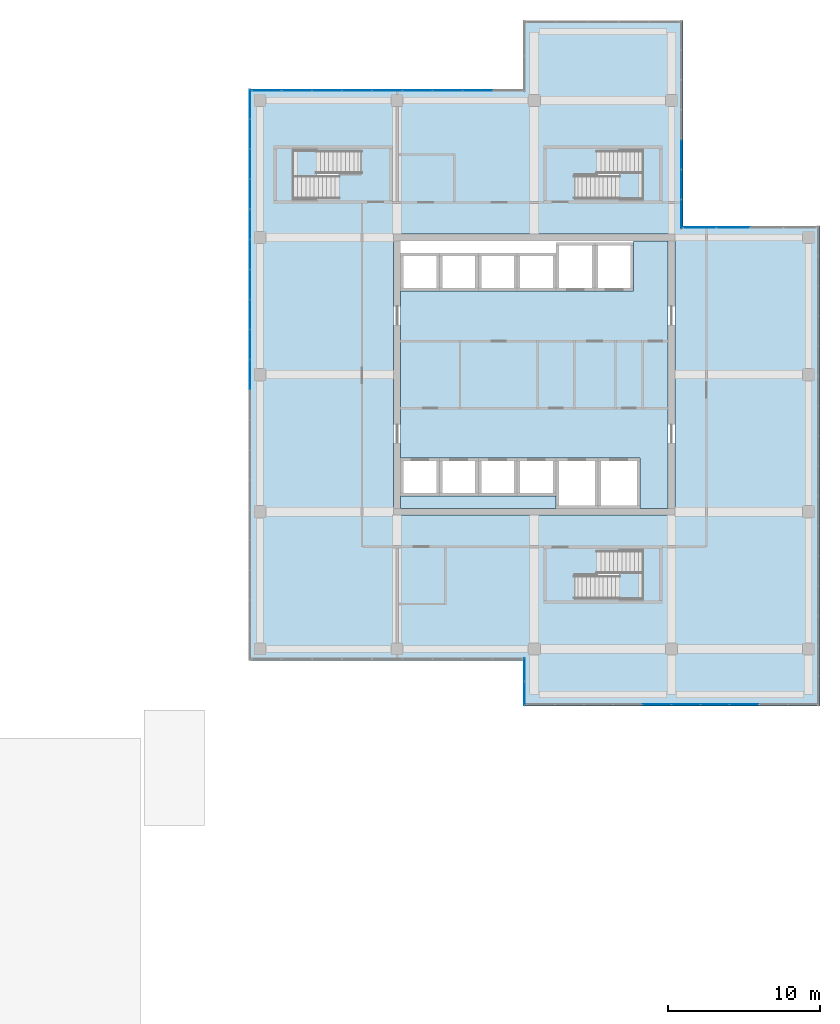
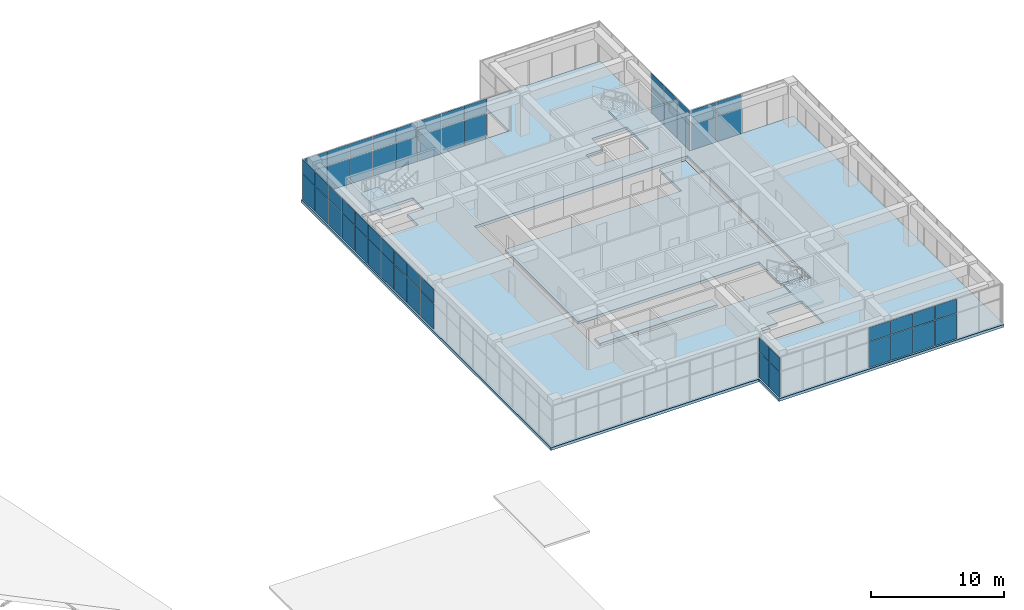
# One storey, part 44 of 55: 58 plates, 6 slabs, 9 elements without a shape of their own.
"""IFC4 building model written with IfcOpenShell, lengths in metres."""

from ifc_helpers import new_model, si_unit, direction, frame, origin, origin_2d, place, context, subcontext, project, spatial, polyline, rectangle, outline, extrude, material, layer, layer_set, type_object, element, aggregate, save


model = new_model("IFC4")

# Units and contexts
model_context = context("Model", 3, precision=1e-05, world=origin(), true_north=direction((0.0, 1.0)))
body_context = subcontext(model_context, "Body", "Model", "MODEL_VIEW")
ifc_project = project(units=[si_unit("LENGTHUNIT", "METRE"), si_unit("AREAUNIT", "SQUARE_METRE"), si_unit("VOLUMEUNIT", "CUBIC_METRE"), si_unit("PLANEANGLEUNIT", "RADIAN"), si_unit("MASSUNIT", "GRAM", prefix="KILO")], contexts=[model_context])

# Site, building, storey
site_placement = place(None, origin())
site = spatial("IfcSite", under=ifc_project, at=site_placement, CompositionType="ELEMENT")
building_placement = place(site_placement, origin())
building = spatial("IfcBuilding", under=site, at=building_placement, Name="Tuart Plaza Theatre", CompositionType="ELEMENT")
storey_placement = place(building_placement, frame((0.0, 0.0, 21.5)))
storey = spatial("IfcBuildingStorey", under=building, at=storey_placement, Name="L05", CompositionType="ELEMENT", Elevation=21.5)

# Curtain wall, plates
ifc_material_1 = material(Name="Aluminium and glass", Category="aluminium")
ifc_layer_1 = layer(ifc_material_1, 0.10009765625)
ifc_layer_set_1 = layer_set([ifc_layer_1], Name="CURTAIN WALL 2000 module")
curtain_wall_type = type_object("IfcCurtainWallType", Name="CURTAIN WALL 2000 module", PredefinedType="NOTDEFINED", material=ifc_layer_set_1)
curtain_wall_1_placement = place(storey_placement, origin())
curtain_wall_1 = element("IfcCurtainWall", 1, at=curtain_wall_1_placement, inside=storey, type_object=curtain_wall_type, Name="CW75", PredefinedType="NOTDEFINED")
ifc_material_2 = material(Name="Glass", Category="glass")
ifc_layer_2 = layer(ifc_material_2, 0.028076171875)
ifc_layer_set_2 = layer_set([ifc_layer_2], Name="CURTAIN PANEL double glazed 28")
plate_type = type_object("IfcPlateType", Name="CURTAIN PANEL double glazed 28", PredefinedType="CURTAIN_PANEL", material=ifc_layer_set_2)
plate_1_placement = place(storey_placement, frame((131.35009765625, 54.637451171875, 0.0498046875), z_axis=(0.0, 0.0, 1.0), x_axis=(0.0, -1.0, 0.0)))
plate_1 = element("IfcPlate", 2, at=plate_1_placement, type_object=plate_type, Name="CW75 panel 1.1", PredefinedType="CURTAIN_PANEL", context=body_context, shape_type="SweptSolid", body=[
    extrude(rectangle(XDim=1.52490234375, YDim=0.028076171875, at=origin_2d()), origin(), (0.0, 0.0, 1.0), 2.324951171875),
])
plate_2_placement = place(storey_placement, frame((131.35009765625, 54.637451171875, 2.425048828125), z_axis=(0.0, 0.0, 1.0), x_axis=(0.0, -1.0, 0.0)))
plate_2 = element("IfcPlate", 3, at=plate_2_placement, type_object=plate_type, Name="CW75 panel 1.2", PredefinedType="CURTAIN_PANEL", context=body_context, shape_type="SweptSolid", body=[
    extrude(rectangle(XDim=1.52490234375, YDim=0.028076171875, at=origin_2d()), origin(), (0.0, 0.0, 1.0), 1.27490234375),
])
plate_3_placement = place(storey_placement, frame((131.35009765625, 53.0625, 0.0498046875), z_axis=(0.0, 0.0, 1.0), x_axis=(0.0, -1.0, 0.0)))
plate_3 = element("IfcPlate", 4, at=plate_3_placement, type_object=plate_type, Name="CW75 panel 2.1", PredefinedType="CURTAIN_PANEL", context=body_context, shape_type="SweptSolid", body=[
    extrude(rectangle(XDim=1.52490234375, YDim=0.028076171875, at=origin_2d()), origin(), (0.0, 0.0, 1.0), 2.324951171875),
])
plate_4_placement = place(storey_placement, frame((131.35009765625, 53.0625, 2.425048828125), z_axis=(0.0, 0.0, 1.0), x_axis=(0.0, -1.0, 0.0)))
plate_4 = element("IfcPlate", 5, at=plate_4_placement, type_object=plate_type, Name="CW75 panel 2.2", PredefinedType="CURTAIN_PANEL", context=body_context, shape_type="SweptSolid", body=[
    extrude(rectangle(XDim=1.52490234375, YDim=0.028076171875, at=origin_2d()), origin(), (0.0, 0.0, 1.0), 1.27490234375),
])
aggregate(curtain_wall_1, [plate_1, plate_2, plate_3, plate_4])

curtain_wall_2_placement = place(storey_placement, origin())
curtain_wall_2 = element("IfcCurtainWall", 6, at=curtain_wall_2_placement, inside=storey, type_object=curtain_wall_type, Name="CW76", PredefinedType="NOTDEFINED")
plate_5_placement = place(storey_placement, frame((140.044921875, 52.35009765625, 0.0498046875), z_axis=(0.0, 0.0, 1.0), x_axis=(1.0, 0.0, 0.0)))
plate_5 = element("IfcPlate", 7, at=plate_5_placement, type_object=plate_type, Name="CW76 panel 5.1", PredefinedType="CURTAIN_PANEL", context=body_context, shape_type="SweptSolid", body=[
    extrude(rectangle(XDim=1.860107421875, YDim=0.028076171875, at=origin_2d()), origin(), (0.0, 0.0, 1.0), 2.324951171875),
])
plate_6_placement = place(storey_placement, frame((140.044921875, 52.35009765625, 2.425048828125), z_axis=(0.0, 0.0, 1.0), x_axis=(1.0, 0.0, 0.0)))
plate_6 = element("IfcPlate", 8, at=plate_6_placement, type_object=plate_type, Name="CW76 panel 5.2", PredefinedType="CURTAIN_PANEL", context=body_context, shape_type="SweptSolid", body=[
    extrude(rectangle(XDim=1.860107421875, YDim=0.028076171875, at=origin_2d()), origin(), (0.0, 0.0, 1.0), 1.27490234375),
])
plate_7_placement = place(storey_placement, frame((141.955078125, 52.35009765625, 0.0498046875), z_axis=(0.0, 0.0, 1.0), x_axis=(1.0, 0.0, 0.0)))
plate_7 = element("IfcPlate", 9, at=plate_7_placement, type_object=plate_type, Name="CW76 panel 6.1", PredefinedType="CURTAIN_PANEL", context=body_context, shape_type="SweptSolid", body=[
    extrude(rectangle(XDim=1.860107421875, YDim=0.028076171875, at=origin_2d()), origin(), (0.0, 0.0, 1.0), 2.324951171875),
])
plate_8_placement = place(storey_placement, frame((141.955078125, 52.35009765625, 2.425048828125), z_axis=(0.0, 0.0, 1.0), x_axis=(1.0, 0.0, 0.0)))
plate_8 = element("IfcPlate", 10, at=plate_8_placement, type_object=plate_type, Name="CW76 panel 6.2", PredefinedType="CURTAIN_PANEL", context=body_context, shape_type="SweptSolid", body=[
    extrude(rectangle(XDim=1.860107421875, YDim=0.028076171875, at=origin_2d()), origin(), (0.0, 0.0, 1.0), 1.27490234375),
])
plate_9_placement = place(storey_placement, frame((143.864990234375, 52.35009765625, 0.0498046875), z_axis=(0.0, 0.0, 1.0), x_axis=(1.0, 0.0, 0.0)))
plate_9 = element("IfcPlate", 11, at=plate_9_placement, type_object=plate_type, Name="CW76 panel 7.1", PredefinedType="CURTAIN_PANEL", context=body_context, shape_type="SweptSolid", body=[
    extrude(rectangle(XDim=1.860107421875, YDim=0.028076171875, at=origin_2d()), origin(), (0.0, 0.0, 1.0), 2.324951171875),
])
plate_10_placement = place(storey_placement, frame((143.864990234375, 52.35009765625, 2.425048828125), z_axis=(0.0, 0.0, 1.0), x_axis=(1.0, 0.0, 0.0)))
plate_10 = element("IfcPlate", 12, at=plate_10_placement, type_object=plate_type, Name="CW76 panel 7.2", PredefinedType="CURTAIN_PANEL", context=body_context, shape_type="SweptSolid", body=[
    extrude(rectangle(XDim=1.860107421875, YDim=0.028076171875, at=origin_2d()), origin(), (0.0, 0.0, 1.0), 1.27490234375),
])
plate_11_placement = place(storey_placement, frame((145.77490234375, 52.35009765625, 0.0498046875), z_axis=(0.0, 0.0, 1.0), x_axis=(1.0, 0.0, 0.0)))
plate_11 = element("IfcPlate", 13, at=plate_11_placement, type_object=plate_type, Name="CW76 panel 8.1", PredefinedType="CURTAIN_PANEL", context=body_context, shape_type="SweptSolid", body=[
    extrude(rectangle(XDim=1.860107421875, YDim=0.028076171875, at=origin_2d()), origin(), (0.0, 0.0, 1.0), 2.324951171875),
])
plate_12_placement = place(storey_placement, frame((145.77490234375, 52.35009765625, 2.425048828125), z_axis=(0.0, 0.0, 1.0), x_axis=(1.0, 0.0, 0.0)))
plate_12 = element("IfcPlate", 14, at=plate_12_placement, type_object=plate_type, Name="CW76 panel 8.2", PredefinedType="CURTAIN_PANEL", context=body_context, shape_type="SweptSolid", body=[
    extrude(rectangle(XDim=1.860107421875, YDim=0.028076171875, at=origin_2d()), origin(), (0.0, 0.0, 1.0), 1.27490234375),
])
aggregate(curtain_wall_2, [plate_5, plate_6, plate_7, plate_8, plate_9, plate_10, plate_11, plate_12])

curtain_wall_3_placement = place(storey_placement, origin())
curtain_wall_3 = element("IfcCurtainWall", 15, at=curtain_wall_3_placement, inside=storey, type_object=curtain_wall_type, Name="CW79", PredefinedType="NOTDEFINED")
plate_13_placement = place(storey_placement, frame((145.050048828125, 83.64990234375, 0.0498046875), z_axis=(0.0, 0.0, 1.0), x_axis=(-1.0, 0.0, 0.0)))
plate_13 = element("IfcPlate", 16, at=plate_13_placement, type_object=plate_type, Name="CW79 panel 3.1", PredefinedType="CURTAIN_PANEL", context=body_context, shape_type="SweptSolid", body=[
    extrude(rectangle(XDim=2.14990234375, YDim=0.028076171875, at=origin_2d()), origin(), (0.0, 0.0, 1.0), 2.324951171875),
])
plate_14_placement = place(storey_placement, frame((145.050048828125, 83.64990234375, 2.425048828125), z_axis=(0.0, 0.0, 1.0), x_axis=(-1.0, 0.0, 0.0)))
plate_14 = element("IfcPlate", 17, at=plate_14_placement, type_object=plate_type, Name="CW79 panel 3.2", PredefinedType="CURTAIN_PANEL", context=body_context, shape_type="SweptSolid", body=[
    extrude(rectangle(XDim=2.14990234375, YDim=0.028076171875, at=origin_2d()), origin(), (0.0, 0.0, 1.0), 1.27490234375),
])
plate_15_placement = place(storey_placement, frame((142.862548828125, 83.64990234375, 0.0498046875), z_axis=(0.0, 0.0, 1.0), x_axis=(-1.0, 0.0, 0.0)))
plate_15 = element("IfcPlate", 18, at=plate_15_placement, type_object=plate_type, Name="CW79 panel 4.1", PredefinedType="CURTAIN_PANEL", context=body_context, shape_type="SweptSolid", body=[
    extrude(rectangle(XDim=2.125, YDim=0.028076171875, at=origin_2d()), origin(), (0.0, 0.0, 1.0), 2.324951171875),
])
plate_16_placement = place(storey_placement, frame((142.862548828125, 83.64990234375, 2.425048828125), z_axis=(0.0, 0.0, 1.0), x_axis=(-1.0, 0.0, 0.0)))
plate_16 = element("IfcPlate", 19, at=plate_16_placement, type_object=plate_type, Name="CW79 panel 4.2", PredefinedType="CURTAIN_PANEL", context=body_context, shape_type="SweptSolid", body=[
    extrude(rectangle(XDim=2.125, YDim=0.028076171875, at=origin_2d()), origin(), (0.0, 0.0, 1.0), 1.27490234375),
])
aggregate(curtain_wall_3, [plate_13, plate_14, plate_15, plate_16])

curtain_wall_4_placement = place(storey_placement, origin())
curtain_wall_4 = element("IfcCurtainWall", 20, at=curtain_wall_4_placement, inside=storey, type_object=curtain_wall_type, Name="CW81", PredefinedType="NOTDEFINED")
plate_17_placement = place(storey_placement, frame((141.64990234375, 84.541015625, 0.0498046875), z_axis=(0.0, 0.0, 1.0), x_axis=(0.0, 1.0, 0.0)))
plate_17 = element("IfcPlate", 21, at=plate_17_placement, type_object=plate_type, Name="CW81 panel 1.1", PredefinedType="CURTAIN_PANEL", context=body_context, shape_type="SweptSolid", body=[
    extrude(rectangle(XDim=1.882080078125, YDim=0.028076171875, at=origin_2d()), origin(), (0.0, 0.0, 1.0), 2.324951171875),
])
plate_18_placement = place(storey_placement, frame((141.64990234375, 84.541015625, 2.425048828125), z_axis=(0.0, 0.0, 1.0), x_axis=(0.0, 1.0, 0.0)))
plate_18 = element("IfcPlate", 22, at=plate_18_placement, type_object=plate_type, Name="CW81 panel 1.2", PredefinedType="CURTAIN_PANEL", context=body_context, shape_type="SweptSolid", body=[
    extrude(rectangle(XDim=1.882080078125, YDim=0.028076171875, at=origin_2d()), origin(), (0.0, 0.0, 1.0), 1.27490234375),
])
plate_19_placement = place(storey_placement, frame((141.64990234375, 86.485595703125, 0.0498046875), z_axis=(0.0, 0.0, 1.0), x_axis=(0.0, 1.0, 0.0)))
plate_19 = element("IfcPlate", 23, at=plate_19_placement, type_object=plate_type, Name="CW81 panel 2.1", PredefinedType="CURTAIN_PANEL", context=body_context, shape_type="SweptSolid", body=[
    extrude(rectangle(XDim=1.9072265625, YDim=0.028076171875, at=origin_2d()), origin(), (0.0, 0.0, 1.0), 2.324951171875),
])
plate_20_placement = place(storey_placement, frame((141.64990234375, 86.485595703125, 2.425048828125), z_axis=(0.0, 0.0, 1.0), x_axis=(0.0, 1.0, 0.0)))
plate_20 = element("IfcPlate", 24, at=plate_20_placement, type_object=plate_type, Name="CW81 panel 2.2", PredefinedType="CURTAIN_PANEL", context=body_context, shape_type="SweptSolid", body=[
    extrude(rectangle(XDim=1.9072265625, YDim=0.028076171875, at=origin_2d()), origin(), (0.0, 0.0, 1.0), 1.27490234375),
])
plate_21_placement = place(storey_placement, frame((141.64990234375, 88.44287109375, 0.0498046875), z_axis=(0.0, 0.0, 1.0), x_axis=(0.0, 1.0, 0.0)))
plate_21 = element("IfcPlate", 25, at=plate_21_placement, type_object=plate_type, Name="CW81 panel 3.1", PredefinedType="CURTAIN_PANEL", context=body_context, shape_type="SweptSolid", body=[
    extrude(rectangle(XDim=1.9072265625, YDim=0.028076171875, at=origin_2d()), origin(), (0.0, 0.0, 1.0), 2.324951171875),
])
plate_22_placement = place(storey_placement, frame((141.64990234375, 88.44287109375, 2.425048828125), z_axis=(0.0, 0.0, 1.0), x_axis=(0.0, 1.0, 0.0)))
plate_22 = element("IfcPlate", 26, at=plate_22_placement, type_object=plate_type, Name="CW81 panel 3.2", PredefinedType="CURTAIN_PANEL", context=body_context, shape_type="SweptSolid", body=[
    extrude(rectangle(XDim=1.9072265625, YDim=0.028076171875, at=origin_2d()), origin(), (0.0, 0.0, 1.0), 1.27490234375),
])
aggregate(curtain_wall_4, [plate_17, plate_18, plate_19, plate_20, plate_21, plate_22])

curtain_wall_5_placement = place(storey_placement, origin())
curtain_wall_5 = element("IfcCurtainWall", 27, at=curtain_wall_5_placement, inside=storey, type_object=curtain_wall_type, Name="CW84", PredefinedType="NOTDEFINED")
plate_23_placement = place(storey_placement, frame((128.283447265625, 92.64990234375, 0.0498046875), z_axis=(0.0, 0.0, 1.0), x_axis=(-1.0, 0.0, 0.0)))
plate_23 = element("IfcPlate", 28, at=plate_23_placement, type_object=plate_type, Name="CW84 panel 2.1", PredefinedType="CURTAIN_PANEL", context=body_context, shape_type="SweptSolid", body=[
    extrude(rectangle(XDim=1.927734375, YDim=0.028076171875, at=origin_2d()), origin(), (0.0, 0.0, 1.0), 2.324951171875),
])
plate_24_placement = place(storey_placement, frame((128.283447265625, 92.64990234375, 2.425048828125), z_axis=(0.0, 0.0, 1.0), x_axis=(-1.0, 0.0, 0.0)))
plate_24 = element("IfcPlate", 29, at=plate_24_placement, type_object=plate_type, Name="CW84 panel 2.2", PredefinedType="CURTAIN_PANEL", context=body_context, shape_type="SweptSolid", body=[
    extrude(rectangle(XDim=1.927734375, YDim=0.028076171875, at=origin_2d()), origin(), (0.0, 0.0, 1.0), 1.27490234375),
])
plate_25_placement = place(storey_placement, frame((126.3056640625, 92.64990234375, 0.0498046875), z_axis=(0.0, 0.0, 1.0), x_axis=(-1.0, 0.0, 0.0)))
plate_25 = element("IfcPlate", 30, at=plate_25_placement, type_object=plate_type, Name="CW84 panel 3.1", PredefinedType="CURTAIN_PANEL", context=body_context, shape_type="SweptSolid", body=[
    extrude(rectangle(XDim=1.927734375, YDim=0.028076171875, at=origin_2d()), origin(), (0.0, 0.0, 1.0), 2.324951171875),
])
plate_26_placement = place(storey_placement, frame((126.3056640625, 92.64990234375, 2.425048828125), z_axis=(0.0, 0.0, 1.0), x_axis=(-1.0, 0.0, 0.0)))
plate_26 = element("IfcPlate", 31, at=plate_26_placement, type_object=plate_type, Name="CW84 panel 3.2", PredefinedType="CURTAIN_PANEL", context=body_context, shape_type="SweptSolid", body=[
    extrude(rectangle(XDim=1.927734375, YDim=0.028076171875, at=origin_2d()), origin(), (0.0, 0.0, 1.0), 1.27490234375),
])
plate_27_placement = place(storey_placement, frame((124.327880859375, 92.64990234375, 0.0498046875), z_axis=(0.0, 0.0, 1.0), x_axis=(-1.0, 0.0, 0.0)))
plate_27 = element("IfcPlate", 32, at=plate_27_placement, type_object=plate_type, Name="CW84 panel 4.1", PredefinedType="CURTAIN_PANEL", context=body_context, shape_type="SweptSolid", body=[
    extrude(rectangle(XDim=1.927734375, YDim=0.028076171875, at=origin_2d()), origin(), (0.0, 0.0, 1.0), 2.324951171875),
])
plate_28_placement = place(storey_placement, frame((124.327880859375, 92.64990234375, 2.425048828125), z_axis=(0.0, 0.0, 1.0), x_axis=(-1.0, 0.0, 0.0)))
plate_28 = element("IfcPlate", 33, at=plate_28_placement, type_object=plate_type, Name="CW84 panel 4.2", PredefinedType="CURTAIN_PANEL", context=body_context, shape_type="SweptSolid", body=[
    extrude(rectangle(XDim=1.927734375, YDim=0.028076171875, at=origin_2d()), origin(), (0.0, 0.0, 1.0), 1.27490234375),
])
plate_29_placement = place(storey_placement, frame((122.35009765625, 92.64990234375, 0.0498046875), z_axis=(0.0, 0.0, 1.0), x_axis=(-1.0, 0.0, 0.0)))
plate_29 = element("IfcPlate", 34, at=plate_29_placement, type_object=plate_type, Name="CW84 panel 5.1", PredefinedType="CURTAIN_PANEL", context=body_context, shape_type="SweptSolid", body=[
    extrude(rectangle(XDim=1.927734375, YDim=0.028076171875, at=origin_2d()), origin(), (0.0, 0.0, 1.0), 2.324951171875),
])
plate_30_placement = place(storey_placement, frame((122.35009765625, 92.64990234375, 2.425048828125), z_axis=(0.0, 0.0, 1.0), x_axis=(-1.0, 0.0, 0.0)))
plate_30 = element("IfcPlate", 35, at=plate_30_placement, type_object=plate_type, Name="CW84 panel 5.2", PredefinedType="CURTAIN_PANEL", context=body_context, shape_type="SweptSolid", body=[
    extrude(rectangle(XDim=1.927734375, YDim=0.028076171875, at=origin_2d()), origin(), (0.0, 0.0, 1.0), 1.27490234375),
])
plate_31_placement = place(storey_placement, frame((120.372314453125, 92.64990234375, 0.0498046875), z_axis=(0.0, 0.0, 1.0), x_axis=(-1.0, 0.0, 0.0)))
plate_31 = element("IfcPlate", 36, at=plate_31_placement, type_object=plate_type, Name="CW84 panel 6.1", PredefinedType="CURTAIN_PANEL", context=body_context, shape_type="SweptSolid", body=[
    extrude(rectangle(XDim=1.927734375, YDim=0.028076171875, at=origin_2d()), origin(), (0.0, 0.0, 1.0), 2.324951171875),
])
plate_32_placement = place(storey_placement, frame((120.372314453125, 92.64990234375, 2.425048828125), z_axis=(0.0, 0.0, 1.0), x_axis=(-1.0, 0.0, 0.0)))
plate_32 = element("IfcPlate", 37, at=plate_32_placement, type_object=plate_type, Name="CW84 panel 6.2", PredefinedType="CURTAIN_PANEL", context=body_context, shape_type="SweptSolid", body=[
    extrude(rectangle(XDim=1.927734375, YDim=0.028076171875, at=origin_2d()), origin(), (0.0, 0.0, 1.0), 1.27490234375),
])
plate_33_placement = place(storey_placement, frame((118.39453125, 92.64990234375, 0.0498046875), z_axis=(0.0, 0.0, 1.0), x_axis=(-1.0, 0.0, 0.0)))
plate_33 = element("IfcPlate", 38, at=plate_33_placement, type_object=plate_type, Name="CW84 panel 7.1", PredefinedType="CURTAIN_PANEL", context=body_context, shape_type="SweptSolid", body=[
    extrude(rectangle(XDim=1.927734375, YDim=0.028076171875, at=origin_2d()), origin(), (0.0, 0.0, 1.0), 2.324951171875),
])
plate_34_placement = place(storey_placement, frame((118.39453125, 92.64990234375, 2.425048828125), z_axis=(0.0, 0.0, 1.0), x_axis=(-1.0, 0.0, 0.0)))
plate_34 = element("IfcPlate", 39, at=plate_34_placement, type_object=plate_type, Name="CW84 panel 7.2", PredefinedType="CURTAIN_PANEL", context=body_context, shape_type="SweptSolid", body=[
    extrude(rectangle(XDim=1.927734375, YDim=0.028076171875, at=origin_2d()), origin(), (0.0, 0.0, 1.0), 1.27490234375),
])
plate_35_placement = place(storey_placement, frame((116.416748046875, 92.64990234375, 0.0498046875), z_axis=(0.0, 0.0, 1.0), x_axis=(-1.0, 0.0, 0.0)))
plate_35 = element("IfcPlate", 40, at=plate_35_placement, type_object=plate_type, Name="CW84 panel 8.1", PredefinedType="CURTAIN_PANEL", context=body_context, shape_type="SweptSolid", body=[
    extrude(rectangle(XDim=1.927734375, YDim=0.028076171875, at=origin_2d()), origin(), (0.0, 0.0, 1.0), 2.324951171875),
])
plate_36_placement = place(storey_placement, frame((116.416748046875, 92.64990234375, 2.425048828125), z_axis=(0.0, 0.0, 1.0), x_axis=(-1.0, 0.0, 0.0)))
plate_36 = element("IfcPlate", 41, at=plate_36_placement, type_object=plate_type, Name="CW84 panel 8.2", PredefinedType="CURTAIN_PANEL", context=body_context, shape_type="SweptSolid", body=[
    extrude(rectangle(XDim=1.927734375, YDim=0.028076171875, at=origin_2d()), origin(), (0.0, 0.0, 1.0), 1.27490234375),
])
plate_37_placement = place(storey_placement, frame((114.451416015625, 92.64990234375, 0.0498046875), z_axis=(0.0, 0.0, 1.0), x_axis=(-1.0, 0.0, 0.0)))
plate_37 = element("IfcPlate", 42, at=plate_37_placement, type_object=plate_type, Name="CW84 panel 9.1", PredefinedType="CURTAIN_PANEL", context=body_context, shape_type="SweptSolid", body=[
    extrude(rectangle(XDim=1.90283203125, YDim=0.028076171875, at=origin_2d()), origin(), (0.0, 0.0, 1.0), 2.324951171875),
])
plate_38_placement = place(storey_placement, frame((114.451416015625, 92.64990234375, 2.425048828125), z_axis=(0.0, 0.0, 1.0), x_axis=(-1.0, 0.0, 0.0)))
plate_38 = element("IfcPlate", 43, at=plate_38_placement, type_object=plate_type, Name="CW84 panel 9.2", PredefinedType="CURTAIN_PANEL", context=body_context, shape_type="SweptSolid", body=[
    extrude(rectangle(XDim=1.90283203125, YDim=0.028076171875, at=origin_2d()), origin(), (0.0, 0.0, 1.0), 1.27490234375),
])
aggregate(curtain_wall_5, [plate_23, plate_24, plate_25, plate_26, plate_27, plate_28, plate_29, plate_30, plate_31, plate_32, plate_33, plate_34, plate_35, plate_36, plate_37, plate_38])

curtain_wall_6_placement = place(storey_placement, origin())
curtain_wall_6 = element("IfcCurtainWall", 44, at=curtain_wall_6_placement, inside=storey, type_object=curtain_wall_type, Name="CW86", PredefinedType="NOTDEFINED")
plate_39_placement = place(storey_placement, frame((113.35009765625, 91.750732421875, 0.0498046875), z_axis=(0.0, 0.0, 1.0), x_axis=(0.0, -1.0, 0.0)))
plate_39 = element("IfcPlate", 45, at=plate_39_placement, type_object=plate_type, Name="CW86 panel 1.1", PredefinedType="CURTAIN_PANEL", context=body_context, shape_type="SweptSolid", body=[
    extrude(rectangle(XDim=1.898681640625, YDim=0.028076171875, at=origin_2d()), origin(), (0.0, 0.0, 1.0), 2.324951171875),
])
plate_40_placement = place(storey_placement, frame((113.35009765625, 91.750732421875, 2.425048828125), z_axis=(0.0, 0.0, 1.0), x_axis=(0.0, -1.0, 0.0)))
plate_40 = element("IfcPlate", 46, at=plate_40_placement, type_object=plate_type, Name="CW86 panel 1.2", PredefinedType="CURTAIN_PANEL", context=body_context, shape_type="SweptSolid", body=[
    extrude(rectangle(XDim=1.898681640625, YDim=0.028076171875, at=origin_2d()), origin(), (0.0, 0.0, 1.0), 1.27490234375),
])
plate_41_placement = place(storey_placement, frame((113.35009765625, 89.78955078125, 0.0498046875), z_axis=(0.0, 0.0, 1.0), x_axis=(0.0, -1.0, 0.0)))
plate_41 = element("IfcPlate", 47, at=plate_41_placement, type_object=plate_type, Name="CW86 panel 2.1", PredefinedType="CURTAIN_PANEL", context=body_context, shape_type="SweptSolid", body=[
    extrude(rectangle(XDim=1.923583984375, YDim=0.028076171875, at=origin_2d()), origin(), (0.0, 0.0, 1.0), 2.324951171875),
])
plate_42_placement = place(storey_placement, frame((113.35009765625, 89.78955078125, 2.425048828125), z_axis=(0.0, 0.0, 1.0), x_axis=(0.0, -1.0, 0.0)))
plate_42 = element("IfcPlate", 48, at=plate_42_placement, type_object=plate_type, Name="CW86 panel 2.2", PredefinedType="CURTAIN_PANEL", context=body_context, shape_type="SweptSolid", body=[
    extrude(rectangle(XDim=1.923583984375, YDim=0.028076171875, at=origin_2d()), origin(), (0.0, 0.0, 1.0), 1.27490234375),
])
plate_43_placement = place(storey_placement, frame((113.35009765625, 87.815673828125, 0.0498046875), z_axis=(0.0, 0.0, 1.0), x_axis=(0.0, -1.0, 0.0)))
plate_43 = element("IfcPlate", 49, at=plate_43_placement, type_object=plate_type, Name="CW86 panel 3.1", PredefinedType="CURTAIN_PANEL", context=body_context, shape_type="SweptSolid", body=[
    extrude(rectangle(XDim=1.923583984375, YDim=0.028076171875, at=origin_2d()), origin(), (0.0, 0.0, 1.0), 2.324951171875),
])
plate_44_placement = place(storey_placement, frame((113.35009765625, 87.815673828125, 2.425048828125), z_axis=(0.0, 0.0, 1.0), x_axis=(0.0, -1.0, 0.0)))
plate_44 = element("IfcPlate", 50, at=plate_44_placement, type_object=plate_type, Name="CW86 panel 3.2", PredefinedType="CURTAIN_PANEL", context=body_context, shape_type="SweptSolid", body=[
    extrude(rectangle(XDim=1.923583984375, YDim=0.028076171875, at=origin_2d()), origin(), (0.0, 0.0, 1.0), 1.27490234375),
])
plate_45_placement = place(storey_placement, frame((113.35009765625, 85.842041015625, 0.0498046875), z_axis=(0.0, 0.0, 1.0), x_axis=(0.0, -1.0, 0.0)))
plate_45 = element("IfcPlate", 51, at=plate_45_placement, type_object=plate_type, Name="CW86 panel 4.1", PredefinedType="CURTAIN_PANEL", context=body_context, shape_type="SweptSolid", body=[
    extrude(rectangle(XDim=1.923583984375, YDim=0.028076171875, at=origin_2d()), origin(), (0.0, 0.0, 1.0), 2.324951171875),
])
plate_46_placement = place(storey_placement, frame((113.35009765625, 85.842041015625, 2.425048828125), z_axis=(0.0, 0.0, 1.0), x_axis=(0.0, -1.0, 0.0)))
plate_46 = element("IfcPlate", 52, at=plate_46_placement, type_object=plate_type, Name="CW86 panel 4.2", PredefinedType="CURTAIN_PANEL", context=body_context, shape_type="SweptSolid", body=[
    extrude(rectangle(XDim=1.923583984375, YDim=0.028076171875, at=origin_2d()), origin(), (0.0, 0.0, 1.0), 1.27490234375),
])
plate_47_placement = place(storey_placement, frame((113.35009765625, 83.868408203125, 0.0498046875), z_axis=(0.0, 0.0, 1.0), x_axis=(0.0, -1.0, 0.0)))
plate_47 = element("IfcPlate", 53, at=plate_47_placement, type_object=plate_type, Name="CW86 panel 5.1", PredefinedType="CURTAIN_PANEL", context=body_context, shape_type="SweptSolid", body=[
    extrude(rectangle(XDim=1.923583984375, YDim=0.028076171875, at=origin_2d()), origin(), (0.0, 0.0, 1.0), 2.324951171875),
])
plate_48_placement = place(storey_placement, frame((113.35009765625, 83.868408203125, 2.425048828125), z_axis=(0.0, 0.0, 1.0), x_axis=(0.0, -1.0, 0.0)))
plate_48 = element("IfcPlate", 54, at=plate_48_placement, type_object=plate_type, Name="CW86 panel 5.2", PredefinedType="CURTAIN_PANEL", context=body_context, shape_type="SweptSolid", body=[
    extrude(rectangle(XDim=1.923583984375, YDim=0.028076171875, at=origin_2d()), origin(), (0.0, 0.0, 1.0), 1.27490234375),
])
plate_49_placement = place(storey_placement, frame((113.35009765625, 81.894775390625, 0.0498046875), z_axis=(0.0, 0.0, 1.0), x_axis=(0.0, -1.0, 0.0)))
plate_49 = element("IfcPlate", 55, at=plate_49_placement, type_object=plate_type, Name="CW86 panel 6.1", PredefinedType="CURTAIN_PANEL", context=body_context, shape_type="SweptSolid", body=[
    extrude(rectangle(XDim=1.923583984375, YDim=0.028076171875, at=origin_2d()), origin(), (0.0, 0.0, 1.0), 2.324951171875),
])
plate_50_placement = place(storey_placement, frame((113.35009765625, 81.894775390625, 2.425048828125), z_axis=(0.0, 0.0, 1.0), x_axis=(0.0, -1.0, 0.0)))
plate_50 = element("IfcPlate", 56, at=plate_50_placement, type_object=plate_type, Name="CW86 panel 6.2", PredefinedType="CURTAIN_PANEL", context=body_context, shape_type="SweptSolid", body=[
    extrude(rectangle(XDim=1.923583984375, YDim=0.028076171875, at=origin_2d()), origin(), (0.0, 0.0, 1.0), 1.27490234375),
])
plate_51_placement = place(storey_placement, frame((113.35009765625, 79.921142578125, 0.0498046875), z_axis=(0.0, 0.0, 1.0), x_axis=(0.0, -1.0, 0.0)))
plate_51 = element("IfcPlate", 57, at=plate_51_placement, type_object=plate_type, Name="CW86 panel 7.1", PredefinedType="CURTAIN_PANEL", context=body_context, shape_type="SweptSolid", body=[
    extrude(rectangle(XDim=1.923583984375, YDim=0.028076171875, at=origin_2d()), origin(), (0.0, 0.0, 1.0), 2.324951171875),
])
plate_52_placement = place(storey_placement, frame((113.35009765625, 79.921142578125, 2.425048828125), z_axis=(0.0, 0.0, 1.0), x_axis=(0.0, -1.0, 0.0)))
plate_52 = element("IfcPlate", 58, at=plate_52_placement, type_object=plate_type, Name="CW86 panel 7.2", PredefinedType="CURTAIN_PANEL", context=body_context, shape_type="SweptSolid", body=[
    extrude(rectangle(XDim=1.923583984375, YDim=0.028076171875, at=origin_2d()), origin(), (0.0, 0.0, 1.0), 1.27490234375),
])
plate_53_placement = place(storey_placement, frame((113.35009765625, 77.947265625, 0.0498046875), z_axis=(0.0, 0.0, 1.0), x_axis=(0.0, -1.0, 0.0)))
plate_53 = element("IfcPlate", 59, at=plate_53_placement, type_object=plate_type, Name="CW86 panel 8.1", PredefinedType="CURTAIN_PANEL", context=body_context, shape_type="SweptSolid", body=[
    extrude(rectangle(XDim=1.923583984375, YDim=0.028076171875, at=origin_2d()), origin(), (0.0, 0.0, 1.0), 2.324951171875),
])
plate_54_placement = place(storey_placement, frame((113.35009765625, 77.947265625, 2.425048828125), z_axis=(0.0, 0.0, 1.0), x_axis=(0.0, -1.0, 0.0)))
plate_54 = element("IfcPlate", 60, at=plate_54_placement, type_object=plate_type, Name="CW86 panel 8.2", PredefinedType="CURTAIN_PANEL", context=body_context, shape_type="SweptSolid", body=[
    extrude(rectangle(XDim=1.923583984375, YDim=0.028076171875, at=origin_2d()), origin(), (0.0, 0.0, 1.0), 1.27490234375),
])
plate_55_placement = place(storey_placement, frame((113.35009765625, 75.9736328125, 0.0498046875), z_axis=(0.0, 0.0, 1.0), x_axis=(0.0, -1.0, 0.0)))
plate_55 = element("IfcPlate", 61, at=plate_55_placement, type_object=plate_type, Name="CW86 panel 9.1", PredefinedType="CURTAIN_PANEL", context=body_context, shape_type="SweptSolid", body=[
    extrude(rectangle(XDim=1.923583984375, YDim=0.028076171875, at=origin_2d()), origin(), (0.0, 0.0, 1.0), 2.324951171875),
])
plate_56_placement = place(storey_placement, frame((113.35009765625, 75.9736328125, 2.425048828125), z_axis=(0.0, 0.0, 1.0), x_axis=(0.0, -1.0, 0.0)))
plate_56 = element("IfcPlate", 62, at=plate_56_placement, type_object=plate_type, Name="CW86 panel 9.2", PredefinedType="CURTAIN_PANEL", context=body_context, shape_type="SweptSolid", body=[
    extrude(rectangle(XDim=1.923583984375, YDim=0.028076171875, at=origin_2d()), origin(), (0.0, 0.0, 1.0), 1.27490234375),
])
plate_57_placement = place(storey_placement, frame((113.35009765625, 74.0, 0.0498046875), z_axis=(0.0, 0.0, 1.0), x_axis=(0.0, -1.0, 0.0)))
plate_57 = element("IfcPlate", 63, at=plate_57_placement, type_object=plate_type, Name="CW86 panel 10.1", PredefinedType="CURTAIN_PANEL", context=body_context, shape_type="SweptSolid", body=[
    extrude(rectangle(XDim=1.923583984375, YDim=0.028076171875, at=origin_2d()), origin(), (0.0, 0.0, 1.0), 2.324951171875),
])
plate_58_placement = place(storey_placement, frame((113.35009765625, 74.0, 2.425048828125), z_axis=(0.0, 0.0, 1.0), x_axis=(0.0, -1.0, 0.0)))
plate_58 = element("IfcPlate", 64, at=plate_58_placement, type_object=plate_type, Name="CW86 panel 10.2", PredefinedType="CURTAIN_PANEL", context=body_context, shape_type="SweptSolid", body=[
    extrude(rectangle(XDim=1.923583984375, YDim=0.028076171875, at=origin_2d()), origin(), (0.0, 0.0, 1.0), 1.27490234375),
])
aggregate(curtain_wall_6, [plate_39, plate_40, plate_41, plate_42, plate_43, plate_44, plate_45, plate_46, plate_47, plate_48, plate_49, plate_50, plate_51, plate_52, plate_53, plate_54, plate_55, plate_56, plate_57, plate_58])

# Slabs
ifc_material_3 = material(Name="Concrete N40 (40 MPa)", Category="concrete")
ifc_layer_3 = layer(ifc_material_3, 0.25)
ifc_layer_set_3 = layer_set([ifc_layer_3], Name="SLAB Floor 250 Concrete N40 (40 MPa)")
slab_type_1 = type_object("IfcSlabType", Name="SLAB Floor 250 Concrete N40 (40 MPa)", PredefinedType="FLOOR", material=ifc_layer_set_3)
slab_1_placement = place(storey_placement, frame((0.0, 0.0, -0.25)))
element("IfcSlab", 65, at=slab_1_placement, inside=storey, type_object=slab_type_1, Name="S85", PredefinedType="FLOOR", context=body_context, shape_type="SweptSolid", body=[
    extrude(outline(polyline([(141.75, 97.25), (131.25, 97.25), (131.25, 92.75), (113.25, 92.75), (113.25, 55.25), (131.25, 55.25), (131.25, 52.25), (150.75, 52.25), (150.75, 83.75), (141.75, 83.75), (141.75, 97.25)]), holes=[polyline([(141.22509765625, 64.77490234375), (141.22509765625, 83.22509765625), (122.77490234375, 83.22509765625), (122.77490234375, 64.77490234375), (141.22509765625, 64.77490234375)]), polyline([(136.114990234375, 62.5), (136.114990234375, 60.875), (134.655029296875, 60.875), (134.655029296875, 59.25), (139.169921875, 59.25), (139.169921875, 62.5), (136.114990234375, 62.5)]), polyline([(139.169921875, 88.75), (136.114990234375, 88.75), (136.114990234375, 87.125), (134.655029296875, 87.125), (134.655029296875, 85.5), (139.169921875, 85.5), (139.169921875, 88.75)]), polyline([(116.1298828125, 88.75), (116.1298828125, 85.5), (119.18505859375, 85.5), (119.18505859375, 87.125), (120.64501953125, 87.125), (120.64501953125, 88.75), (116.1298828125, 88.75)])]), origin(), (0.0, 0.0, 1.0), 0.25),
])
slab_2_placement = place(storey_placement, frame((0.0, 0.0, -0.25)))
element("IfcSlab", 66, at=slab_2_placement, inside=storey, type_object=slab_type_1, Name="S86", PredefinedType="FLOOR", context=body_context, shape_type="SweptSolid", body=[
    extrude(outline(polyline([(138.925048828125, 68.52490234375), (138.925048828125, 65.22509765625), (140.77490234375, 65.22509765625), (140.77490234375, 82.77490234375), (138.52490234375, 82.77490234375), (138.52490234375, 79.47509765625), (123.22509765625, 79.47509765625), (123.22509765625, 68.52490234375), (138.925048828125, 68.52490234375)])), origin(), (0.0, 0.0, 1.0), 0.25),
])
slab_3_placement = place(storey_placement, frame((0.0, 0.0, -0.25)))
element("IfcSlab", 67, at=slab_3_placement, inside=storey, type_object=slab_type_1, Name="S87", PredefinedType="FLOOR", context=body_context, shape_type="SweptSolid", body=[
    extrude(outline(polyline([(123.22509765625, 66.02490234375), (123.22509765625, 65.22509765625), (133.425048828125, 65.22509765625), (133.425048828125, 66.02490234375), (123.22509765625, 66.02490234375)])), origin(), (0.0, 0.0, 1.0), 0.25),
])

# Stair, slab
ifc_material_4 = material(Name="Concrete N40 (40 MPa)", Category="concrete")
stair_type = type_object("IfcStairType", Name="STAIR half turn 1500", PredefinedType="HALF_TURN_STAIR", material=ifc_material_4)
stair_1_placement = place(storey_placement, origin())
stair_1 = element("IfcStair", 68, at=stair_1_placement, inside=storey, type_object=stair_type, Name="SC-3", PredefinedType="HALF_TURN_STAIR")
ifc_material_5 = material(Name="Concrete N40 (40 MPa)", Category="concrete")
ifc_layer_4 = layer(ifc_material_5, 0.199951171875)
ifc_layer_set_4 = layer_set([ifc_layer_4], Name="STAIR LANDING 200")
slab_type_2 = type_object("IfcSlabType", Name="STAIR LANDING 200", PredefinedType="LANDING", material=ifc_layer_set_4)
slab_4_placement = place(storey_placement, frame((0.0, 0.0, 1.800048828125)))
slab_4 = element("IfcSlab", 69, at=slab_4_placement, type_object=slab_type_2, Name="SC-3 landing 1", PredefinedType="LANDING", context=body_context, shape_type="SweptSolid", body=[
    extrude(outline(polyline([(137.60009765625, 59.177001953125), (139.1298828125, 59.177001953125), (139.1298828125, 62.572998046875), (137.60009765625, 62.572998046875), (137.60009765625, 59.177001953125)])), origin(), (0.0, 0.0, 1.0), 0.199951171875),
])
aggregate(stair_1, [slab_4])

stair_2_placement = place(storey_placement, origin())
stair_2 = element("IfcStair", 70, at=stair_2_placement, inside=storey, type_object=stair_type, Name="SC-9", PredefinedType="HALF_TURN_STAIR")
slab_5_placement = place(storey_placement, frame((0.0, 0.0, 1.800048828125)))
slab_5 = element("IfcSlab", 71, at=slab_5_placement, type_object=slab_type_2, Name="SC-9 landing 1", PredefinedType="LANDING", context=body_context, shape_type="SweptSolid", body=[
    extrude(outline(polyline([(137.60009765625, 85.427001953125), (139.1298828125, 85.427001953125), (139.1298828125, 88.822998046875), (137.60009765625, 88.822998046875), (137.60009765625, 85.427001953125)])), origin(), (0.0, 0.0, 1.0), 0.199951171875),
])
aggregate(stair_2, [slab_5])

stair_3_placement = place(storey_placement, origin())
stair_3 = element("IfcStair", 72, at=stair_3_placement, inside=storey, type_object=stair_type, Name="SC-15", PredefinedType="HALF_TURN_STAIR")
slab_6_placement = place(storey_placement, frame((0.0, 0.0, 1.800048828125)))
slab_6 = element("IfcSlab", 73, at=slab_6_placement, type_object=slab_type_2, Name="SC-15 landing 1", PredefinedType="LANDING", context=body_context, shape_type="SweptSolid", body=[
    extrude(outline(polyline([(117.699951171875, 88.822998046875), (116.169921875, 88.822998046875), (116.169921875, 85.427001953125), (117.699951171875, 85.427001953125), (117.699951171875, 88.822998046875)])), origin(), (0.0, 0.0, 1.0), 0.199951171875),
])
aggregate(stair_3, [slab_6])

save(model, "model.ifc")
